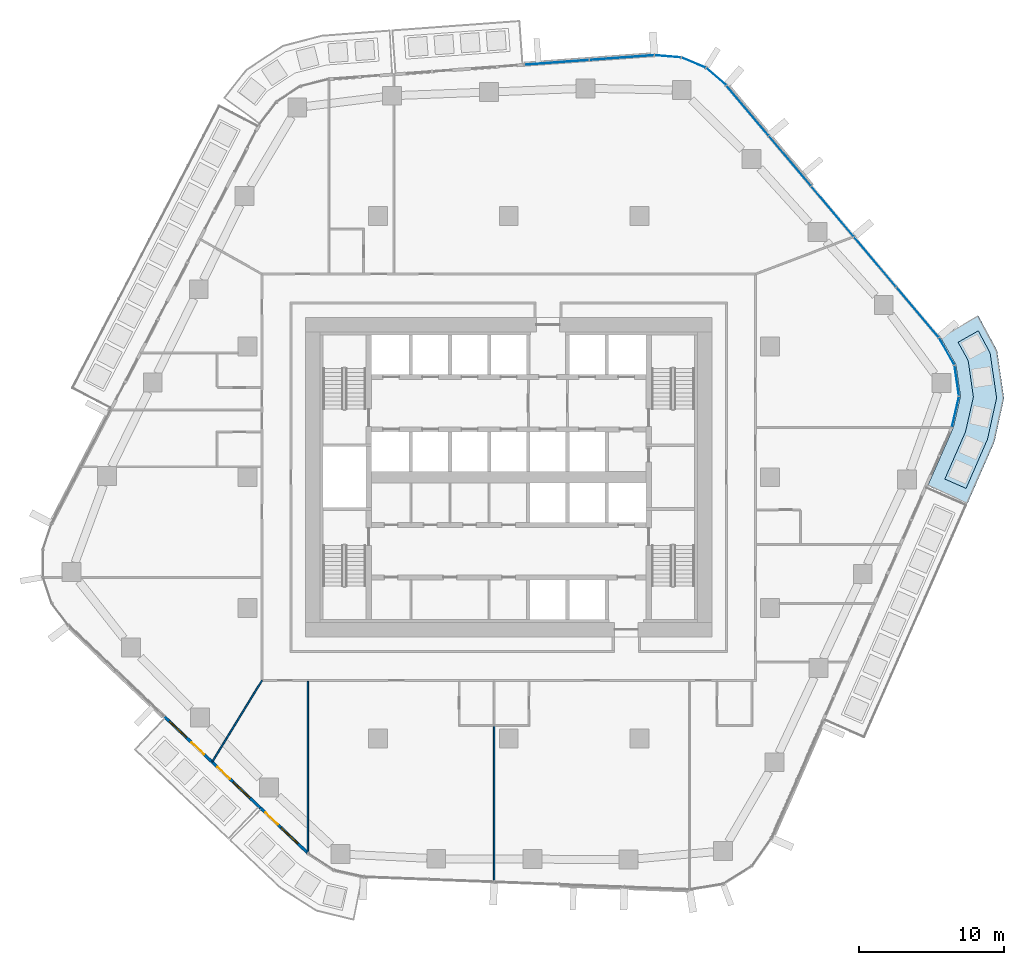
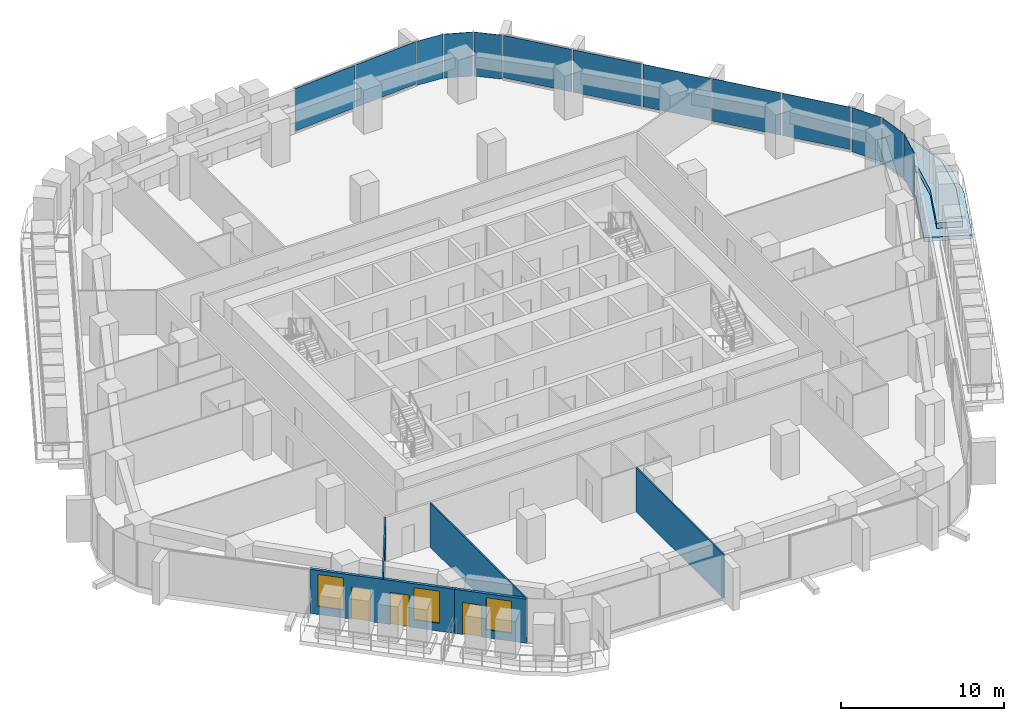
# One storey, part 11 of 23: 13 plates, 5 walls, 3 doors, 3 windows, 2 slabs, 6 openings, 4 elements without a shape of their own.
"""IFC4 building model written with IfcOpenShell, lengths in metres."""

import ifcopenshell
import ifcopenshell.guid

model = None  # the IFC model being written
_history = None  # IfcOwnerHistory: only IFC2X3 demands one
_inside = {}  # id of a spatial element -> (the spatial element, [elements in it])
_under = {}  # id of a project, library or spatial element -> (it, [spatial elements below it])
_declared = {}  # id of a project -> (the project, [libraries it declares])
_typed = {}  # id of a type object -> (the type object, [elements of that type])
_made_of = {}  # id of a material, layer set ... -> (it, [elements and type objects made of it])


def new_model(schema):
    """Start an empty IFC model of exactly this schema.

    Asked for "IFC4X3", IfcOpenShell would pick the latest addendum, in which some entities
    have other attributes; the version numbers below select the first issue.
    IFC2X3 requires an IfcOwnerHistory on every rooted entity: one is made here for all.
    """
    global model, _history
    if schema == "IFC4X3":
        model = ifcopenshell.file(schema_version=(4, 3, 0, 0))
    else:
        model = ifcopenshell.file(schema=schema)
    _inside.clear()
    _under.clear()
    _declared.clear()
    _typed.clear()
    _made_of.clear()
    _history = None
    if model.schema == "IFC2X3":
        org = make("IfcOrganization", Name="unknown")
        user = make(
            "IfcPersonAndOrganization",
            ThePerson=make("IfcPerson", FamilyName="unknown"),
            TheOrganization=org,
        )
        app = make(
            "IfcApplication",
            ApplicationDeveloper=org,
            Version="unknown",
            ApplicationFullName="unknown",
            ApplicationIdentifier="unknown",
        )
        _history = make(
            "IfcOwnerHistory",
            OwningUser=user,
            OwningApplication=app,
            ChangeAction="ADDED",
            CreationDate=0,
        )
    return model


def make(cls, **values):
    """One entity of the class cls with the attributes given. An attribute that is None is left unset."""
    return model.create_entity(
        cls, **{name: value for name, value in values.items() if value is not None}
    )


def rooted(cls, **values):
    """An entity with a GlobalId (a new one), such as an element, a storey or a relation."""
    return make(cls, GlobalId=ifcopenshell.guid.new(), OwnerHistory=_history, **values)


def si_unit(unit_type, name, prefix=None):
    """IfcSIUnit, for example si_unit("LENGTHUNIT", "METRE", prefix="MILLI")."""
    return make("IfcSIUnit", UnitType=unit_type, Prefix=prefix, Name=name)


def assignment(units):
    """IfcUnitAssignment: the units of a project."""
    return None if units is None else make("IfcUnitAssignment", Units=units)


def point(xyz):
    """IfcCartesianPoint."""
    return None if xyz is None else make("IfcCartesianPoint", Coordinates=xyz)


def direction(xyz):
    """IfcDirection."""
    return None if xyz is None else make("IfcDirection", DirectionRatios=xyz)


def frame(location, z_axis=None, x_axis=None):
    """IfcAxis2Placement3D, a coordinate frame: its origin and axes. An axis left out is left unset."""
    return make(
        "IfcAxis2Placement3D",
        Location=point(location),
        Axis=direction(z_axis),
        RefDirection=direction(x_axis),
    )


def frame_2d(location, x_axis=None):
    """IfcAxis2Placement2D, a coordinate frame in the plane: its origin and x axis."""
    return make(
        "IfcAxis2Placement2D", Location=point(location), RefDirection=direction(x_axis)
    )


def origin():
    """The frame at (0, 0, 0) with its axes left unset."""
    return frame((0.0, 0.0, 0.0))


def origin_2d():
    """The frame at (0, 0) in the plane with its x axis left unset."""
    return frame_2d((0.0, 0.0))


def place(relative_to, where):
    """IfcLocalPlacement: puts the frame where relative to a parent placement (None: the world)."""
    return make(
        "IfcLocalPlacement", PlacementRelTo=relative_to, RelativePlacement=where
    )


def context(
    kind, dimensions, precision=None, world=None, true_north=None, identifier=None
):
    """IfcGeometricRepresentationContext, for example the 3D "Model" context."""
    return make(
        "IfcGeometricRepresentationContext",
        ContextIdentifier=identifier,
        ContextType=kind,
        CoordinateSpaceDimension=dimensions,
        Precision=precision,
        WorldCoordinateSystem=world,
        TrueNorth=true_north,
    )


def subcontext(parent, identifier, kind, view, scale=None):
    """IfcGeometricRepresentationSubContext, for example "Body" below "Model"."""
    return make(
        "IfcGeometricRepresentationSubContext",
        ContextIdentifier=identifier,
        ContextType=kind,
        ParentContext=parent,
        TargetScale=scale,
        TargetView=view,
    )


def project(units=None, contexts=None):
    """IfcProject with its units and contexts."""
    return rooted(
        "IfcProject",
        Name="project",
        RepresentationContexts=contexts,
        UnitsInContext=assignment(units),
    )


def spatial(cls, under=None, at=None, **own):
    """A site, building, storey or space (cls), placed at a placement, below another one or the project."""
    s = rooted(cls, ObjectPlacement=at, **own)
    if under is not None:
        _under.setdefault(under.id(), (under, []))[1].append(s)
    return s


def polyline(points):
    """IfcPolyline through the points."""
    return make("IfcPolyline", Points=[point(p) for p in points])


def profile(cls, at=None, kind="AREA", **sizes):
    """A parametric profile (cls). Its sizes go by their IFC names, for example OverallWidth=200.0."""
    return make(cls, ProfileType=kind, Position=at, **sizes)


def rectangle(**sizes):
    """IfcRectangleProfileDef."""
    return profile("IfcRectangleProfileDef", **sizes)


def outline(outer, holes=None, kind="AREA"):
    """IfcArbitraryClosedProfileDef: a profile drawn as a closed curve; with holes, ...WithVoids."""
    if holes is None:
        return make("IfcArbitraryClosedProfileDef", ProfileType=kind, OuterCurve=outer)
    return make(
        "IfcArbitraryProfileDefWithVoids",
        ProfileType=kind,
        OuterCurve=outer,
        InnerCurves=holes,
    )


def extrude(swept, where, along, depth):
    """IfcExtrudedAreaSolid: the profile swept, set in the frame where, extruded along a direction by depth."""
    return make(
        "IfcExtrudedAreaSolid",
        SweptArea=swept,
        Position=where,
        ExtrudedDirection=direction(along),
        Depth=depth,
    )


def shape(context_of_items, identifier, shape_type, items):
    """IfcShapeRepresentation: the items that make up one representation, for example the "Body"."""
    return make(
        "IfcShapeRepresentation",
        ContextOfItems=context_of_items,
        RepresentationIdentifier=identifier,
        RepresentationType=shape_type,
        Items=items,
    )


def material(Name=None, Category=None):
    """IfcMaterial."""
    return make("IfcMaterial", Name=Name, Category=Category)


def layer(
    of_material, thickness, ventilated=None, Name=None, Category=None, Priority=None
):
    """IfcMaterialLayer: one layer of a wall or slab, of a material (None: an air gap)."""
    return make(
        "IfcMaterialLayer",
        Material=of_material,
        LayerThickness=thickness,
        IsVentilated=ventilated,
        Name=Name,
        Category=Category,
        Priority=Priority,
    )


def layer_set(layers, Name=None):
    """IfcMaterialLayerSet."""
    return make("IfcMaterialLayerSet", MaterialLayers=layers, LayerSetName=Name)


def made_of(thing, what):
    """Note that an element or type object is made of a material, layer set ...; save() writes the relation."""
    if what is not None:
        _made_of.setdefault(what.id(), (what, []))[1].append(thing)
    return thing


def type_object(cls, material=None, **own):
    """A type object (cls), such as IfcWallType, which elements share."""
    return made_of(rooted(cls, **own), material)


def element(
    cls,
    number,
    at=None,
    inside=None,
    cuts=None,
    type_object=None,
    material=None,
    context=None,
    identifier="Body",
    shape_type=None,
    held_by="IfcProductDefinitionShape",
    body=None,
    shapes=None,
    **own,
):
    """One element of the class cls, such as IfcWall. Its Tag is "e" and its number.

    at: its placement. inside: the storey or other place that contains it. cuts: it is an
    opening in that element (IfcRelVoidsElement). A single representation is given by context,
    identifier, shape_type and body (its items); several are given by shapes. held_by: the class
    of the entity that holds the representations. save() writes the other relations.
    """
    e = rooted(cls, Tag="e%d" % number, ObjectPlacement=at, **own)
    if body is not None:
        shapes = [shape(context, identifier, shape_type, body)]
    if shapes is not None:
        e.Representation = make(held_by, Representations=shapes)
    if inside is not None:
        _inside.setdefault(inside.id(), (inside, []))[1].append(e)
    if cuts is not None:
        rooted(
            "IfcRelVoidsElement", RelatingBuildingElement=cuts, RelatedOpeningElement=e
        )
    if type_object is not None:
        _typed.setdefault(type_object.id(), (type_object, []))[1].append(e)
    return made_of(e, material)


def fill(opening, filler):
    """IfcRelFillsElement: the door or window that sits in an opening."""
    return rooted(
        "IfcRelFillsElement",
        RelatingOpeningElement=opening,
        RelatedBuildingElement=filler,
    )


def aggregate(whole, parts):
    """IfcRelAggregates: a whole, such as a stair, and the parts it consists of."""
    return rooted("IfcRelAggregates", RelatingObject=whole, RelatedObjects=parts)


def save(model, path):
    """Write the relations noted so far, then the file.

    IfcRelAggregates (storeys below a building ...), IfcRelContainedInSpatialStructure (elements
    in a storey), IfcRelDefinesByType, IfcRelAssociatesMaterial and IfcRelDeclares: one each for
    every whole, place, type object, material and project.
    """
    for whole, parts in _under.values():
        aggregate(whole, parts)
    for where, things in _inside.values():
        rooted(
            "IfcRelContainedInSpatialStructure",
            RelatedElements=things,
            RelatingStructure=where,
        )
    for kind, things in _typed.values():
        rooted("IfcRelDefinesByType", RelatedObjects=things, RelatingType=kind)
    for what, things in _made_of.values():
        rooted("IfcRelAssociatesMaterial", RelatedObjects=things, RelatingMaterial=what)
    for by, libraries in _declared.values():
        rooted("IfcRelDeclares", RelatingContext=by, RelatedDefinitions=libraries)
    model.write(path)


model = new_model("IFC4")

# Units and contexts
model_context = context("Model", 3, precision=1e-05, world=origin(), true_north=direction((0.0, 1.0)))
body_context = subcontext(model_context, "Body", "Model", "MODEL_VIEW")
ifc_project = project(units=[si_unit("LENGTHUNIT", "METRE"), si_unit("AREAUNIT", "SQUARE_METRE"), si_unit("VOLUMEUNIT", "CUBIC_METRE"), si_unit("PLANEANGLEUNIT", "RADIAN"), si_unit("MASSUNIT", "GRAM", prefix="KILO")], contexts=[model_context])

# Site, building, storey
site_placement = place(None, origin())
site = spatial("IfcSite", under=ifc_project, at=site_placement, CompositionType="ELEMENT")
building_placement = place(site_placement, origin())
building = spatial("IfcBuilding", under=site, at=building_placement, Name="Dongbaek Canopy Tower", CompositionType="ELEMENT")
storey_placement = place(building_placement, frame((0.0, 0.0, 132.199951171875)))
storey = spatial("IfcBuildingStorey", under=building, at=storey_placement, Name="L29", CompositionType="ELEMENT", Elevation=132.199951171875)

# Slab
ifc_material_1 = material(Name="Concrete C40/50", Category="concrete")
ifc_layer_1 = layer(ifc_material_1, 0.300048828125)
ifc_layer_set_1 = layer_set([ifc_layer_1], Name="Balcony slab 300")
slab_type_1 = type_object("IfcSlabType", Name="Balcony slab 300", PredefinedType="FLOOR", material=ifc_layer_set_1)
slab_1_placement = place(storey_placement, frame((0.0, 0.0, -0.300048828125)))
element("IfcSlab", 1, at=slab_1_placement, inside=storey, type_object=slab_type_1, Name="Balcony L29 5", PredefinedType="FLOOR", context=body_context, shape_type="SweptSolid", body=[
    extrude(outline(polyline([(28.871337890625, -0.593505859375), (30.62841796875, 3.40673828125), (31.129638671875, 5.565673828125), (30.81298828125, 7.759033203125), (29.746337890625, 9.64453125), (32.357421875, 11.121826171875), (33.652099609375, 8.728759765625), (34.126953125, 5.4384765625), (33.475341796875, 2.460205078125), (31.617919921875, -1.800048828125), (28.871337890625, -0.593505859375)])), origin(), (0.0, 0.0, 1.0), 0.300048828125),
])

# Curtain wall, plates
ifc_material_2 = material(Name="Aluminium 6063-T6 pale anodised", Category="aluminium")
ifc_layer_2 = layer(ifc_material_2, 0.199951171875)
ifc_layer_set_2 = layer_set([ifc_layer_2], Name="CW-1 unitised tower curtain wall")
curtain_wall_type = type_object("IfcCurtainWallType", Name="CW-1 unitised tower curtain wall", PredefinedType="NOTDEFINED", material=ifc_layer_set_2)
curtain_wall_1_placement = place(storey_placement, origin())
curtain_wall_1 = element("IfcCurtainWall", 2, at=curtain_wall_1_placement, inside=storey, type_object=curtain_wall_type, Name="CW-1 curtain wall K0.1", PredefinedType="NOTDEFINED")
ifc_material_3 = material(Name="Clear laminated glass", Category="glass")
ifc_layer_3 = layer(ifc_material_3, 0.028076171875)
ifc_layer_set_3 = layer_set([ifc_layer_3], Name="CW-1 glazed panel 28")
plate_type = type_object("IfcPlateType", Name="CW-1 glazed panel 28", PredefinedType="CURTAIN_PANEL", material=ifc_layer_set_3)
plate_1_placement = place(storey_placement, frame((30.780517578125, 4.504150390625, 0.0), z_axis=(0.0, 0.0, 1.0), x_axis=(0.226165577778, 0.974088872449, 0.0)))
plate_1 = element("IfcPlate", 3, at=plate_1_placement, type_object=plate_type, Name="CW-1 panel K0.1.1.1", PredefinedType="CURTAIN_PANEL", context=body_context, shape_type="SweptSolid", body=[
    extrude(rectangle(XDim=2.104248046875, YDim=0.028076171875, at=origin_2d()), origin(), (0.0, 0.0, 1.0), 3.300048828125),
])
plate_2_placement = place(storey_placement, frame((30.872314453125, 6.64794921875, 0.0), z_axis=(0.0, 0.0, 1.0), x_axis=(-0.142875742295, 0.989740633835, 0.0)))
plate_2 = element("IfcPlate", 4, at=plate_2_placement, type_object=plate_type, Name="CW-1 panel K0.1.2.1", PredefinedType="CURTAIN_PANEL", context=body_context, shape_type="SweptSolid", body=[
    extrude(rectangle(XDim=2.0947265625, YDim=0.028076171875, at=origin_2d()), origin(), (0.0, 0.0, 1.0), 3.300048828125),
])
plate_3_placement = place(storey_placement, frame((30.177978515625, 8.678466796875, 0.0), z_axis=(0.0, 0.0, 1.0), x_axis=(-0.492423599933, 0.870355673405, 0.0)))
plate_3 = element("IfcPlate", 5, at=plate_3_placement, type_object=plate_type, Name="CW-1 panel K0.1.3.1", PredefinedType="CURTAIN_PANEL", context=body_context, shape_type="SweptSolid", body=[
    extrude(rectangle(XDim=2.104248046875, YDim=0.028076171875, at=origin_2d()), origin(), (0.0, 0.0, 1.0), 3.300048828125),
])
aggregate(curtain_wall_1, [plate_1, plate_2, plate_3])

curtain_wall_2_placement = place(storey_placement, origin())
curtain_wall_2 = element("IfcCurtainWall", 6, at=curtain_wall_2_placement, inside=storey, type_object=curtain_wall_type, Name="CW-1 curtain wall F0.1", PredefinedType="NOTDEFINED")
plate_4_placement = place(storey_placement, frame((28.1767578125, 11.36474609375, 0.1201171875), z_axis=(0.0, 0.0, 1.0), x_axis=(-0.644695650519, 0.764439348936, 0.0)))
plate_4 = element("IfcPlate", 7, at=plate_4_placement, type_object=plate_type, Name="CW-1 panel F0.1.1.1", PredefinedType="CURTAIN_PANEL", context=body_context, shape_type="SweptSolid", body=[
    extrude(rectangle(XDim=4.453125, YDim=0.028076171875, at=origin_2d()), origin(), (0.0, 0.0, 1.0), 3.179931640625),
])
plate_5_placement = place(storey_placement, frame((25.248779296875, 14.836669921875, 0.1201171875), z_axis=(0.0, 0.0, 1.0), x_axis=(-0.644695650519, 0.764439348936, 0.0)))
plate_5 = element("IfcPlate", 8, at=plate_5_placement, type_object=plate_type, Name="CW-1 panel F0.1.2.1", PredefinedType="CURTAIN_PANEL", context=body_context, shape_type="SweptSolid", body=[
    extrude(rectangle(XDim=4.46240234375, YDim=0.028076171875, at=origin_2d()), origin(), (0.0, 0.0, 1.0), 3.179931640625),
])
plate_6_placement = place(storey_placement, frame((22.317626953125, 18.312255859375, 0.1201171875), z_axis=(0.0, 0.0, 1.0), x_axis=(-0.644695650519, 0.764439348936, 0.0)))
plate_6 = element("IfcPlate", 9, at=plate_6_placement, type_object=plate_type, Name="CW-1 panel F0.1.3.1", PredefinedType="CURTAIN_PANEL", context=body_context, shape_type="SweptSolid", body=[
    extrude(rectangle(XDim=4.46240234375, YDim=0.028076171875, at=origin_2d()), origin(), (0.0, 0.0, 1.0), 3.179931640625),
])
plate_7_placement = place(storey_placement, frame((19.38671875, 21.78759765625, 0.1201171875), z_axis=(0.0, 0.0, 1.0), x_axis=(-0.644695650519, 0.764439348936, 0.0)))
plate_7 = element("IfcPlate", 10, at=plate_7_placement, type_object=plate_type, Name="CW-1 panel F0.1.4.1", PredefinedType="CURTAIN_PANEL", context=body_context, shape_type="SweptSolid", body=[
    extrude(rectangle(XDim=4.46240234375, YDim=0.028076171875, at=origin_2d()), origin(), (0.0, 0.0, 1.0), 3.179931640625),
])
plate_8_placement = place(storey_placement, frame((16.4580078125, 25.260009765625, 0.1201171875), z_axis=(0.0, 0.0, 1.0), x_axis=(-0.644695650519, 0.764439348936, 0.0)))
plate_8 = element("IfcPlate", 11, at=plate_8_placement, type_object=plate_type, Name="CW-1 panel F0.1.5.1", PredefinedType="CURTAIN_PANEL", context=body_context, shape_type="SweptSolid", body=[
    extrude(rectangle(XDim=4.45458984375, YDim=0.028076171875, at=origin_2d()), origin(), (0.0, 0.0, 1.0), 3.179931640625),
])
aggregate(curtain_wall_2, [plate_4, plate_5, plate_6, plate_7, plate_8])

curtain_wall_3_placement = place(storey_placement, origin())
curtain_wall_3 = element("IfcCurtainWall", 12, at=curtain_wall_3_placement, inside=storey, type_object=curtain_wall_type, Name="CW-1 curtain wall K1.1", PredefinedType="NOTDEFINED")
plate_9_placement = place(storey_placement, frame((14.29296875, 27.601806640625, 0.0), z_axis=(0.0, 0.0, 1.0), x_axis=(-0.756482468173, 0.654013971829, 0.0)))
plate_9 = element("IfcPlate", 13, at=plate_9_placement, type_object=plate_type, Name="CW-1 panel K1.1.1.1", PredefinedType="CURTAIN_PANEL", context=body_context, shape_type="SweptSolid", body=[
    extrude(rectangle(XDim=1.77197265625, YDim=0.028076171875, at=origin_2d()), origin(), (0.0, 0.0, 1.0), 3.300048828125),
])
plate_10_placement = place(storey_placement, frame((12.7392578125, 28.567138671875, 0.0), z_axis=(0.0, 0.0, 1.0), x_axis=(-0.921724446856, 0.387845386807, 0.0)))
plate_10 = element("IfcPlate", 14, at=plate_10_placement, type_object=plate_type, Name="CW-1 panel K1.1.2.1", PredefinedType="CURTAIN_PANEL", context=body_context, shape_type="SweptSolid", body=[
    extrude(rectangle(XDim=1.763916015625, YDim=0.028076171875, at=origin_2d()), origin(), (0.0, 0.0, 1.0), 3.300048828125),
])
plate_11_placement = place(storey_placement, frame((10.962890625, 29.0029296875, 0.0), z_axis=(0.0, 0.0, 1.0), x_axis=(-0.996498593, 0.08360953384, 0.0)))
plate_11 = element("IfcPlate", 15, at=plate_11_placement, type_object=plate_type, Name="CW-1 panel K1.1.3.1", PredefinedType="CURTAIN_PANEL", context=body_context, shape_type="SweptSolid", body=[
    extrude(rectangle(XDim=1.77197265625, YDim=0.028076171875, at=origin_2d()), origin(), (0.0, 0.0, 1.0), 3.300048828125),
])
aggregate(curtain_wall_3, [plate_9, plate_10, plate_11])

curtain_wall_4_placement = place(storey_placement, origin())
curtain_wall_4 = element("IfcCurtainWall", 16, at=curtain_wall_4_placement, inside=storey, type_object=curtain_wall_type, Name="CW-1 curtain wall F1.1", PredefinedType="NOTDEFINED")
plate_12_placement = place(storey_placement, frame((7.796875, 28.915283203125, 0.1201171875), z_axis=(0.0, 0.0, 1.0), x_axis=(-0.997293805344, -0.073519152761, 0.0)))
plate_12 = element("IfcPlate", 17, at=plate_12_placement, type_object=plate_type, Name="CW-1 panel F1.1.1.1", PredefinedType="CURTAIN_PANEL", context=body_context, shape_type="SweptSolid", body=[
    extrude(rectangle(XDim=4.410888671875, YDim=0.028076171875, at=origin_2d()), origin(), (0.0, 0.0, 1.0), 3.179931640625),
])
plate_13_placement = place(storey_placement, frame((3.31005859375, 28.584716796875, 0.1201171875), z_axis=(0.0, 0.0, 1.0), x_axis=(-0.997293805344, -0.073519152761, 0.0)))
plate_13 = element("IfcPlate", 18, at=plate_13_placement, type_object=plate_type, Name="CW-1 panel F1.1.2.1", PredefinedType="CURTAIN_PANEL", context=body_context, shape_type="SweptSolid", body=[
    extrude(rectangle(XDim=4.418701171875, YDim=0.028076171875, at=origin_2d()), origin(), (0.0, 0.0, 1.0), 3.179931640625),
])
aggregate(curtain_wall_4, [plate_12, plate_13])

# Slab
ifc_material_4 = material(Name="Reinforced concrete C40/50 planter box with soil", Category="concrete")
ifc_layer_4 = layer(ifc_material_4, 0.419921875)
ifc_layer_set_4 = layer_set([ifc_layer_4], Name="Terrace planter box 1600 x 420")
slab_type_2 = type_object("IfcSlabType", Name="Terrace planter box 1600 x 420", PredefinedType="USERDEFINED", material=ifc_layer_set_4)
slab_2_placement = place(storey_placement, origin())
element("IfcSlab", 19, at=slab_2_placement, inside=storey, type_object=slab_type_2, Name="Balcony planter L29 5", ObjectType="PLANTER", PredefinedType="USERDEFINED", context=body_context, shape_type="SweptSolid", body=[
    extrude(outline(polyline([(30.048095703125, -0.12744140625), (31.472900390625, 3.1259765625), (32.018798828125, 5.52783203125), (31.6552734375, 8.046630859375), (30.964111328125, 9.29931640625), (32.356689453125, 10.08740234375), (33.16943359375, 8.56396484375), (33.617431640625, 5.4599609375), (32.9912109375, 2.62109375), (31.512939453125, -0.77099609375), (30.048095703125, -0.12744140625)])), origin(), (0.0, 0.0, 1.0), 0.420166015625),
])

# Walls
ifc_material_5 = material(Name="Gypsum board partition, steel stud, 2 x 12.5 mm board", Category="steel")
ifc_layer_5 = layer(ifc_material_5, 0.10009765625)
ifc_layer_set_5 = layer_set([ifc_layer_5], Name="Partition 100 gypsum board")
wall_type_1 = type_object("IfcWallType", Name="Partition 100 gypsum board", PredefinedType="PARTITIONING", material=ifc_layer_set_5)
wall_1_placement = place(storey_placement, frame((-20.42919921875, -19.6083984375, 0.0), z_axis=(0.0, 0.0, 1.0), x_axis=(0.521610739124, 0.853183589171, 0.0)))
element("IfcWall", 20, at=wall_1_placement, inside=storey, type_object=wall_type_1, Name="Partition", PredefinedType="PARTITIONING", context=body_context, shape_type="SweptSolid", body=[
    extrude(rectangle(XDim=6.57373046875, YDim=0.10009765625, at=frame_2d((3.286865234375, 0.0))), origin(), (0.0, 0.0, 1.0), 3.300048828125),
])
wall_2_placement = place(storey_placement, frame((-1.010986328125, -27.85791015625, 0.0), z_axis=(0.0, 0.0, 1.0), x_axis=(0.0, 1.0, 0.0)))
element("IfcWall", 21, at=wall_2_placement, inside=storey, type_object=wall_type_1, Name="Partition", PredefinedType="PARTITIONING", context=body_context, shape_type="SweptSolid", body=[
    extrude(rectangle(XDim=10.7080078125, YDim=0.10009765625, at=frame_2d((5.35400390625, 0.0))), origin(), (0.0, 0.0, 1.0), 3.300048828125),
])
wall_3_placement = place(storey_placement, frame((-13.842041015625, -25.875732421875, 0.0), z_axis=(0.0, 0.0, 1.0), x_axis=(0.0, 1.0, 0.0)))
element("IfcWall", 22, at=wall_3_placement, inside=storey, type_object=wall_type_1, Name="Partition", PredefinedType="PARTITIONING", context=body_context, shape_type="SweptSolid", body=[
    extrude(rectangle(XDim=11.80078125, YDim=0.10009765625, at=frame_2d((5.900390625, 0.0))), origin(), (0.0, 0.0, 1.0), 3.300048828125),
])

# Wall, openings, doors, windows
ifc_material_6 = material(Name="Aluminium window wall", Category="aluminium")
ifc_layer_6 = layer(ifc_material_6, 0.199951171875)
ifc_layer_set_6 = layer_set([ifc_layer_6], Name="Window wall 200")
wall_type_2 = type_object("IfcWallType", Name="Window wall 200", PredefinedType="SOLIDWALL", material=ifc_layer_set_6)
wall_4_placement = place(storey_placement, frame((-23.741455078125, -16.484375, 0.0), z_axis=(0.0, 0.0, 1.0), x_axis=(0.724483683082, -0.689291950445, 0.0)))
wall_4 = element("IfcWall", 23, at=wall_4_placement, inside=storey, type_object=wall_type_2, Name="Window wall L29 3", PredefinedType="SOLIDWALL", context=body_context, shape_type="SweptSolid", body=[
    extrude(rectangle(XDim=9.11572265625, YDim=0.199951171875, at=frame_2d((4.557861328125, 0.0))), origin(), (0.0, 0.0, 1.0), 3.300048828125),
])
opening_1_placement = place(wall_4_placement, frame((0.5, 0.0, 0.60009765625)))
opening_1 = element("IfcOpeningElement", 24, at=opening_1_placement, cuts=wall_4, Name="Opening W1", PredefinedType="OPENING", context=body_context, shape_type="SweptSolid", body=[
    extrude(rectangle(XDim=1.60009765625, YDim=2.39990234375, at=frame_2d((0.800048828125, 1.199951171875))), frame((0.0, 0.10986328125, 0.0), z_axis=(0.0, -1.0, 0.0), x_axis=(1.0, 0.0, 0.0)), (0.0, 0.0, 1.0), 0.219970703125),
])
opening_2_placement = place(wall_4_placement, frame((2.60009765625, 0.0, 0.0)))
opening_2 = element("IfcOpeningElement", 25, at=opening_2_placement, cuts=wall_4, Name="Opening L29-B09", PredefinedType="OPENING", context=body_context, shape_type="SweptSolid", body=[
    extrude(rectangle(XDim=1.199951171875, YDim=2.39990234375, at=frame_2d((0.60009765625, 1.199951171875))), frame((0.0, 0.10986328125, 0.0), z_axis=(0.0, -1.0, 0.0), x_axis=(1.0, 0.0, 0.0)), (0.0, 0.0, 1.0), 0.219970703125),
])
opening_3_placement = place(wall_4_placement, frame((6.557861328125, 0.0, 0.60009765625)))
opening_3 = element("IfcOpeningElement", 26, at=opening_3_placement, cuts=wall_4, Name="Opening W1", PredefinedType="OPENING", context=body_context, shape_type="SweptSolid", body=[
    extrude(rectangle(XDim=1.60009765625, YDim=2.39990234375, at=frame_2d((0.800048828125, 1.199951171875))), frame((0.0, 0.10986328125, 0.0), z_axis=(0.0, -1.0, 0.0), x_axis=(1.0, 0.0, 0.0)), (0.0, 0.0, 1.0), 0.219970703125),
])
opening_4_placement = place(wall_4_placement, frame((5.057861328125, 0.0, 0.0)))
opening_4 = element("IfcOpeningElement", 27, at=opening_4_placement, cuts=wall_4, Name="Opening L29-B10", PredefinedType="OPENING", context=body_context, shape_type="SweptSolid", body=[
    extrude(rectangle(XDim=1.199951171875, YDim=2.39990234375, at=frame_2d((0.60009765625, 1.199951171875))), frame((0.0, 0.10986328125, 0.0), z_axis=(0.0, -1.0, 0.0), x_axis=(1.0, 0.0, 0.0)), (0.0, 0.0, 1.0), 0.219970703125),
])
ifc_material_7 = material(Name="Clear glazing in aluminium frame", Category="aluminium")
door_type = type_object("IfcDoorType", Name="Balcony door BD1 1200 x 2400", OperationType="SLIDING_TO_LEFT", PredefinedType="DOOR", material=ifc_material_7)
door_1_placement = place(opening_2_placement, origin())
door_1 = element("IfcDoor", 28, at=door_1_placement, inside=storey, type_object=door_type, Name="Balcony door L29-B09", OperationType="SLIDING_TO_LEFT", OverallHeight=2.39990234375, OverallWidth=1.199951171875, PredefinedType="DOOR", context=body_context, shape_type="SweptSolid", body=[
    extrude(rectangle(XDim=1.199951171875, YDim=2.39990234375, at=frame_2d((0.60009765625, 1.199951171875))), frame((0.0, 0.02490234375, 0.0), z_axis=(0.0, -1.0, 0.0), x_axis=(1.0, 0.0, 0.0)), (0.0, 0.0, 1.0), 0.050048828125),
])
fill(opening_2, door_1)
door_2_placement = place(opening_4_placement, origin())
door_2 = element("IfcDoor", 29, at=door_2_placement, inside=storey, type_object=door_type, Name="Balcony door L29-B10", OperationType="SLIDING_TO_LEFT", OverallHeight=2.39990234375, OverallWidth=1.199951171875, PredefinedType="DOOR", context=body_context, shape_type="SweptSolid", body=[
    extrude(rectangle(XDim=1.199951171875, YDim=2.39990234375, at=frame_2d((0.60009765625, 1.199951171875))), frame((0.0, 0.02490234375, 0.0), z_axis=(0.0, -1.0, 0.0), x_axis=(1.0, 0.0, 0.0)), (0.0, 0.0, 1.0), 0.050048828125),
])
fill(opening_4, door_2)
ifc_material_8 = material(Name="Clear glazing in aluminium frame", Category="aluminium")
window_type = type_object("IfcWindowType", Name="Window W1 1600 x 2400", PartitioningType="SINGLE_PANEL", PredefinedType="WINDOW", material=ifc_material_8)
window_1_placement = place(opening_1_placement, origin())
window_1 = element("IfcWindow", 30, at=window_1_placement, inside=storey, type_object=window_type, Name="Window L29 3.1", OverallHeight=2.39990234375, OverallWidth=1.60009765625, PartitioningType="SINGLE_PANEL", PredefinedType="WINDOW", context=body_context, shape_type="SweptSolid", body=[
    extrude(rectangle(XDim=1.60009765625, YDim=2.39990234375, at=frame_2d((0.800048828125, 1.199951171875))), frame((0.0, 0.030029296875, 0.0), z_axis=(0.0, -1.0, 0.0), x_axis=(1.0, 0.0, 0.0)), (0.0, 0.0, 1.0), 0.06005859375),
])
fill(opening_1, window_1)
window_2_placement = place(opening_3_placement, origin())
window_2 = element("IfcWindow", 31, at=window_2_placement, inside=storey, type_object=window_type, Name="Window L29 3.2", OverallHeight=2.39990234375, OverallWidth=1.60009765625, PartitioningType="SINGLE_PANEL", PredefinedType="WINDOW", context=body_context, shape_type="SweptSolid", body=[
    extrude(rectangle(XDim=1.60009765625, YDim=2.39990234375, at=frame_2d((0.800048828125, 1.199951171875))), frame((0.0, 0.030029296875, 0.0), z_axis=(0.0, -1.0, 0.0), x_axis=(1.0, 0.0, 0.0)), (0.0, 0.0, 1.0), 0.06005859375),
])
fill(opening_3, window_2)

# Wall, openings, door, window
wall_5_placement = place(storey_placement, frame((-17.13720703125, -22.767822265625, 0.0), z_axis=(0.0, 0.0, 1.0), x_axis=(0.724465880686, -0.689310661257, 0.0)))
wall_5 = element("IfcWall", 32, at=wall_5_placement, inside=storey, type_object=wall_type_2, Name="Window wall L29 7", PredefinedType="SOLIDWALL", context=body_context, shape_type="SweptSolid", body=[
    extrude(rectangle(XDim=4.548828125, YDim=0.199951171875, at=frame_2d((2.2744140625, 0.0))), origin(), (0.0, 0.0, 1.0), 3.300048828125),
])
opening_5_placement = place(wall_5_placement, frame((2.0, 0.0, 0.60009765625)))
opening_5 = element("IfcOpeningElement", 33, at=opening_5_placement, cuts=wall_5, Name="Opening W1", PredefinedType="OPENING", context=body_context, shape_type="SweptSolid", body=[
    extrude(rectangle(XDim=1.60009765625, YDim=2.39990234375, at=frame_2d((0.800048828125, 1.199951171875))), frame((0.0, 0.10986328125, 0.0), z_axis=(0.0, -1.0, 0.0), x_axis=(1.0, 0.0, 0.0)), (0.0, 0.0, 1.0), 0.219970703125),
])
opening_6_placement = place(wall_5_placement, frame((0.5, 0.0, 0.0)))
opening_6 = element("IfcOpeningElement", 34, at=opening_6_placement, cuts=wall_5, Name="Opening L29-B11", PredefinedType="OPENING", context=body_context, shape_type="SweptSolid", body=[
    extrude(rectangle(XDim=1.199951171875, YDim=2.39990234375, at=frame_2d((0.60009765625, 1.199951171875))), frame((0.0, 0.10986328125, 0.0), z_axis=(0.0, -1.0, 0.0), x_axis=(1.0, 0.0, 0.0)), (0.0, 0.0, 1.0), 0.219970703125),
])
door_3_placement = place(opening_6_placement, origin())
door_3 = element("IfcDoor", 35, at=door_3_placement, inside=storey, type_object=door_type, Name="Balcony door L29-B11", OperationType="SLIDING_TO_LEFT", OverallHeight=2.39990234375, OverallWidth=1.199951171875, PredefinedType="DOOR", context=body_context, shape_type="SweptSolid", body=[
    extrude(rectangle(XDim=1.199951171875, YDim=2.39990234375, at=frame_2d((0.60009765625, 1.199951171875))), frame((0.0, 0.02490234375, 0.0), z_axis=(0.0, -1.0, 0.0), x_axis=(1.0, 0.0, 0.0)), (0.0, 0.0, 1.0), 0.050048828125),
])
fill(opening_6, door_3)
window_3_placement = place(opening_5_placement, origin())
window_3 = element("IfcWindow", 36, at=window_3_placement, inside=storey, type_object=window_type, Name="Window L29 7.1", OverallHeight=2.39990234375, OverallWidth=1.60009765625, PartitioningType="SINGLE_PANEL", PredefinedType="WINDOW", context=body_context, shape_type="SweptSolid", body=[
    extrude(rectangle(XDim=1.60009765625, YDim=2.39990234375, at=frame_2d((0.800048828125, 1.199951171875))), frame((0.0, 0.030029296875, 0.0), z_axis=(0.0, -1.0, 0.0), x_axis=(1.0, 0.0, 0.0)), (0.0, 0.0, 1.0), 0.06005859375),
])
fill(opening_5, window_3)

save(model, "model.ifc")
